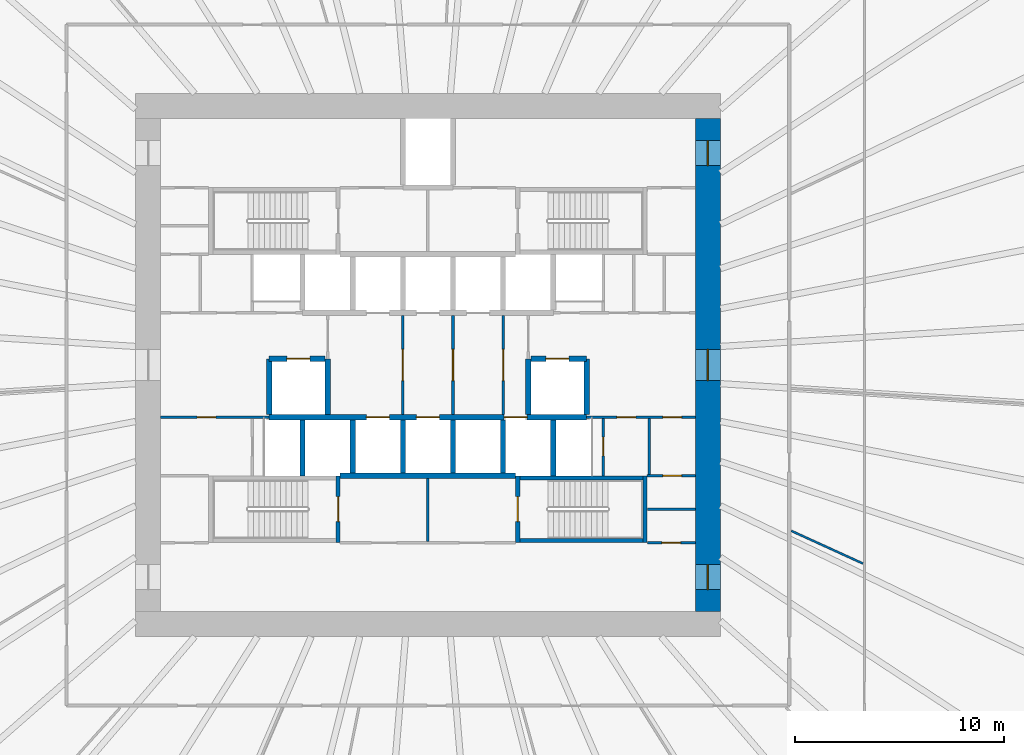
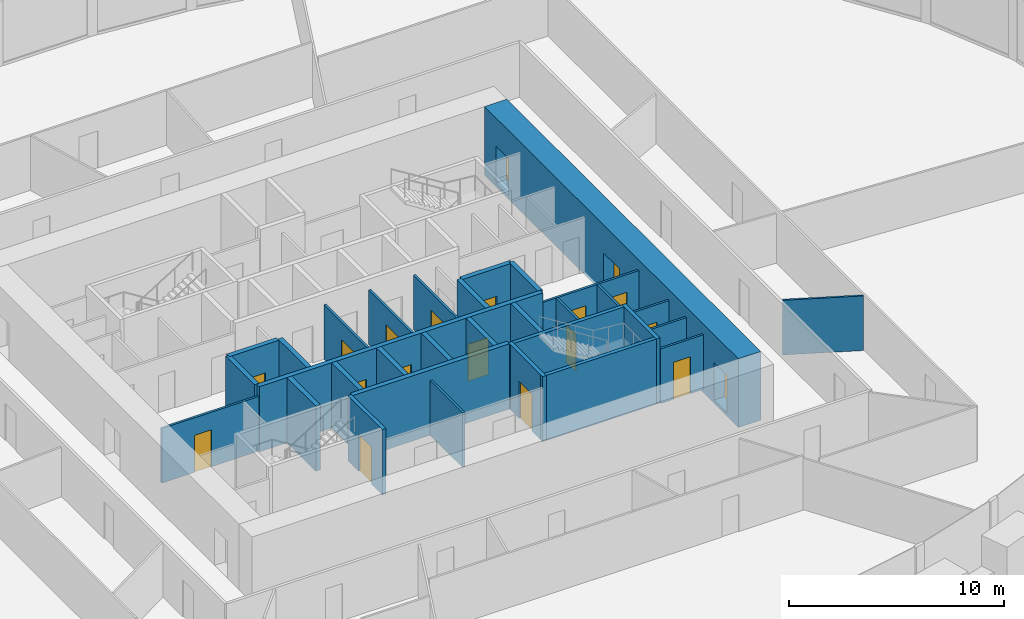
# One storey, part 8 of 12: 32 walls, 19 doors, 19 openings.
"""IFC4 building model written with IfcOpenShell, lengths in metres."""

from ifc_helpers import new_model, si_unit, direction, frame, frame_2d, origin, place, context, subcontext, project, spatial, rectangle, extrude, source, transform, mapped, material, layer, layer_set, type_object, element, fill, save


model = new_model("IFC4")

# Units and contexts
model_context = context("Model", 3, precision=1e-05, world=origin(), true_north=direction((0.0, 1.0)))
body_context = subcontext(model_context, "Body", "Model", "MODEL_VIEW")
ifc_project = project(units=[si_unit("LENGTHUNIT", "METRE"), si_unit("AREAUNIT", "SQUARE_METRE"), si_unit("VOLUMEUNIT", "CUBIC_METRE"), si_unit("PLANEANGLEUNIT", "RADIAN"), si_unit("MASSUNIT", "GRAM", prefix="KILO")], contexts=[model_context])

# Site, building, storey
site_placement = place(None, origin())
site = spatial("IfcSite", under=ifc_project, at=site_placement, CompositionType="ELEMENT")
building_placement = place(site_placement, origin())
building = spatial("IfcBuilding", under=site, at=building_placement, Name="Embergate Tower", CompositionType="ELEMENT")
storey_placement = place(building_placement, frame((0.0, 0.0, 85.39990234375)))
storey = spatial("IfcBuildingStorey", under=building, at=storey_placement, Name="L17", CompositionType="ELEMENT", Elevation=85.39990234375)

# Wall, openings, doors
ifc_material_1 = material(Name="Concrete C80", Category="concrete")
ifc_layer_1 = layer(ifc_material_1, 1.199951171875)
ifc_layer_set_1 = layer_set([ifc_layer_1], Name="Concrete C80")
wall_type_1 = type_object("IfcWallType", Name="Core outer wall C80 1200", PredefinedType="SHEAR", material=ifc_layer_set_1)
shared_shape_1 = source(origin(), body_context, "Body", "SweptSolid", [
    extrude(rectangle(XDim=23.60009765625, YDim=1.199951171875, at=frame_2d((11.800048828125, 0.0))), origin(), (0.0, 0.0, 1.0), 3.900146484375),
])
wall_1_placement = place(storey_placement, frame((13.39990234375, -11.800048828125, -0.199951171875), z_axis=(0.0, 0.0, 1.0), x_axis=(0.0, 1.0, 0.0)))
wall_1 = element("IfcWall", 1, at=wall_1_placement, inside=storey, type_object=wall_type_1, Name="CW-L17-E", PredefinedType="SHEAR", context=body_context, shape_type="MappedRepresentation", body=[
    mapped(shared_shape_1, transform((0.0, 0.0, 0.0))),
])
shared_shape_2 = source(origin(), body_context, "Body", "SweptSolid", [
    extrude(rectangle(XDim=1.199951171875, YDim=2.10009765625, at=frame_2d((0.60009765625, 1.050048828125))), frame((0.0, 0.60986328125, 0.0), z_axis=(0.0, -1.0, 0.0), x_axis=(1.0, 0.0, 0.0)), (0.0, 0.0, 1.0), 1.219970703125),
])
opening_1_placement = place(wall_1_placement, frame((21.35009765625, 0.0, 0.199951171875)))
opening_1 = element("IfcOpeningElement", 2, at=opening_1_placement, cuts=wall_1, Name="Opening IF-1", PredefinedType="OPENING", context=body_context, shape_type="MappedRepresentation", body=[
    mapped(shared_shape_2, transform((0.0, 0.0, 0.0))),
])
opening_2_placement = place(wall_1_placement, frame((1.050048828125, 0.0, 0.199951171875)))
opening_2 = element("IfcOpeningElement", 3, at=opening_2_placement, cuts=wall_1, Name="Opening IF-1", PredefinedType="OPENING", context=body_context, shape_type="MappedRepresentation", body=[
    mapped(shared_shape_2, transform((0.0, 0.0, 0.0))),
])
shared_shape_3 = source(origin(), body_context, "Body", "SweptSolid", [
    extrude(rectangle(XDim=1.5, YDim=2.10009765625, at=frame_2d((0.75, 1.050048828125))), frame((0.0, 0.60986328125, 0.0), z_axis=(0.0, -1.0, 0.0), x_axis=(1.0, 0.0, 0.0)), (0.0, 0.0, 1.0), 1.219970703125),
])
opening_3_placement = place(wall_1_placement, frame((11.050048828125, 0.0, 0.199951171875)))
opening_3 = element("IfcOpeningElement", 4, at=opening_3_placement, cuts=wall_1, Name="Opening IF-3", PredefinedType="OPENING", context=body_context, shape_type="MappedRepresentation", body=[
    mapped(shared_shape_3, transform((0.0, 0.0, 0.0))),
])
ifc_material_2 = material(Name="Escape fire door 1200")
door_type_1 = type_object("IfcDoorType", Name="Escape fire door 1200", OperationType="SINGLE_SWING_LEFT", PredefinedType="DOOR", material=ifc_material_2)
shared_shape_4 = source(origin(), body_context, "Body", "SweptSolid", [
    extrude(rectangle(XDim=1.199951171875, YDim=2.10009765625, at=frame_2d((0.60009765625, 1.050048828125))), frame((0.0, 0.02490234375, 0.0), z_axis=(0.0, -1.0, 0.0), x_axis=(1.0, 0.0, 0.0)), (0.0, 0.0, 1.0), 0.050048828125),
])
door_1_placement = place(opening_1_placement, origin())
door_1 = element("IfcDoor", 5, at=door_1_placement, inside=storey, type_object=door_type_1, Name="IF-1 door", OperationType="SINGLE_SWING_RIGHT", OverallHeight=2.10009765625, OverallWidth=1.199951171875, PredefinedType="DOOR", context=body_context, shape_type="MappedRepresentation", body=[
    mapped(shared_shape_4, transform((0.0, 0.0, 0.0))),
])
fill(opening_1, door_1)
door_2_placement = place(opening_2_placement, origin())
door_2 = element("IfcDoor", 6, at=door_2_placement, inside=storey, type_object=door_type_1, Name="IF-1 door", OperationType="SINGLE_SWING_LEFT", OverallHeight=2.10009765625, OverallWidth=1.199951171875, PredefinedType="DOOR", context=body_context, shape_type="MappedRepresentation", body=[
    mapped(shared_shape_4, transform((0.0, 0.0, 0.0))),
])
fill(opening_2, door_2)
ifc_material_3 = material(Name="Lobby fire door pair 1500")
door_type_2 = type_object("IfcDoorType", Name="Lobby fire door pair 1500", OperationType="DOUBLE_DOOR_SINGLE_SWING", PredefinedType="DOOR", material=ifc_material_3)
shared_shape_5 = source(origin(), body_context, "Body", "SweptSolid", [
    extrude(rectangle(XDim=1.5, YDim=2.10009765625, at=frame_2d((0.75, 1.050048828125))), frame((0.0, 0.02490234375, 0.0), z_axis=(0.0, -1.0, 0.0), x_axis=(1.0, 0.0, 0.0)), (0.0, 0.0, 1.0), 0.050048828125),
])
door_3_placement = place(opening_3_placement, origin())
door_3 = element("IfcDoor", 7, at=door_3_placement, inside=storey, type_object=door_type_2, Name="IF-3 door", OperationType="DOUBLE_DOOR_SINGLE_SWING", OverallHeight=2.10009765625, OverallWidth=1.5, PredefinedType="DOOR", context=body_context, shape_type="MappedRepresentation", body=[
    mapped(shared_shape_5, transform((0.0, 0.0, 0.0))),
])
fill(opening_3, door_3)

# Wall, opening, door
ifc_material_4 = material(Name="Core partition blockwork 120")
ifc_layer_2 = layer(ifc_material_4, 0.1201171875)
ifc_layer_set_2 = layer_set([ifc_layer_2], Name="Core partition blockwork 120")
wall_type_2 = type_object("IfcWallType", Name="Core partition blockwork 120", PredefinedType="PARTITIONING", material=ifc_layer_set_2)
shared_shape_6 = source(origin(), body_context, "Body", "SweptSolid", [
    extrude(rectangle(XDim=2.739990234375, YDim=0.1201171875, at=frame_2d((1.3701171875, 0.0))), origin(), (0.0, 0.0, 1.0), 3.10009765625),
])
wall_2_placement = place(storey_placement, frame((8.39990234375, -5.300048828125, 0.0), z_axis=(0.0, 0.0, 1.0), x_axis=(0.0, 1.0, 0.0)))
wall_2 = element("IfcWall", 8, at=wall_2_placement, inside=storey, type_object=wall_type_2, Name="IP-3 wall", PredefinedType="PARTITIONING", context=body_context, shape_type="MappedRepresentation", body=[
    mapped(shared_shape_6, transform((0.0, 0.0, 0.0))),
])
shared_shape_7 = source(origin(), body_context, "Body", "SweptSolid", [
    extrude(rectangle(XDim=0.89990234375, YDim=2.10009765625, at=frame_2d((0.449951171875, 1.050048828125))), frame((0.0, 0.070068359375, 0.0), z_axis=(0.0, -1.0, 0.0), x_axis=(1.0, 0.0, 0.0)), (0.0, 0.0, 1.0), 0.14013671875),
])
opening_4_placement = place(wall_2_placement, frame((0.949951171875, 0.0, 0.0)))
opening_4 = element("IfcOpeningElement", 9, at=opening_4_placement, cuts=wall_2, Name="Opening ID-1", PredefinedType="OPENING", context=body_context, shape_type="MappedRepresentation", body=[
    mapped(shared_shape_7, transform((0.0, 0.0, 0.0))),
])
ifc_material_5 = material(Name="Interior door 900")
door_type_3 = type_object("IfcDoorType", Name="Interior door 900", OperationType="SINGLE_SWING_LEFT", PredefinedType="DOOR", material=ifc_material_5)
shared_shape_8 = source(origin(), body_context, "Body", "SweptSolid", [
    extrude(rectangle(XDim=0.89990234375, YDim=2.10009765625, at=frame_2d((0.449951171875, 1.050048828125))), frame((0.0, 0.02490234375, 0.0), z_axis=(0.0, -1.0, 0.0), x_axis=(1.0, 0.0, 0.0)), (0.0, 0.0, 1.0), 0.050048828125),
])
door_4_placement = place(opening_4_placement, origin())
door_4 = element("IfcDoor", 10, at=door_4_placement, inside=storey, type_object=door_type_3, Name="ID-1 door", OperationType="SINGLE_SWING_RIGHT", OverallHeight=2.10009765625, OverallWidth=0.89990234375, PredefinedType="DOOR", context=body_context, shape_type="MappedRepresentation", body=[
    mapped(shared_shape_8, transform((0.0, 0.0, 0.0))),
])
fill(opening_4, door_4)

shared_shape_9 = source(origin(), body_context, "Body", "SweptSolid", [
    extrude(rectangle(XDim=5.199951171875, YDim=0.1201171875, at=frame_2d((2.60009765625, 0.0))), origin(), (0.0, 0.0, 1.0), 3.10009765625),
])
wall_3_placement = place(storey_placement, frame((-7.60009765625, -2.5, 0.0), z_axis=(0.0, 0.0, 1.0), x_axis=(-1.0, 0.0, 0.0)))
wall_3 = element("IfcWall", 11, at=wall_3_placement, inside=storey, type_object=wall_type_2, Name="IP-3 wall", PredefinedType="PARTITIONING", context=body_context, shape_type="MappedRepresentation", body=[
    mapped(shared_shape_9, transform((0.0, 0.0, 0.0))),
])
opening_5_placement = place(wall_3_placement, frame((2.550048828125, 0.0, 0.0)))
opening_5 = element("IfcOpeningElement", 12, at=opening_5_placement, cuts=wall_3, Name="Opening ID-1", PredefinedType="OPENING", context=body_context, shape_type="MappedRepresentation", body=[
    mapped(shared_shape_7, transform((0.0, 0.0, 0.0))),
])
door_5_placement = place(opening_5_placement, origin())
door_5 = element("IfcDoor", 13, at=door_5_placement, inside=storey, type_object=door_type_3, Name="ID-1 door", OperationType="SINGLE_SWING_LEFT", OverallHeight=2.10009765625, OverallWidth=0.89990234375, PredefinedType="DOOR", context=body_context, shape_type="MappedRepresentation", body=[
    mapped(shared_shape_8, transform((0.0, 0.0, 0.0))),
])
fill(opening_5, door_5)

# Wall, openings, doors
wall_4_placement = place(storey_placement, frame((12.800048828125, -2.5, 0.0), z_axis=(0.0, 0.0, 1.0), x_axis=(-1.0, 0.0, 0.0)))
wall_4 = element("IfcWall", 14, at=wall_4_placement, inside=storey, type_object=wall_type_2, Name="IP-3 wall", PredefinedType="PARTITIONING", context=body_context, shape_type="MappedRepresentation", body=[
    mapped(shared_shape_9, transform((0.0, 0.0, 0.0))),
])
opening_6_placement = place(wall_4_placement, frame((2.85009765625, 0.0, 0.0)))
opening_6 = element("IfcOpeningElement", 15, at=opening_6_placement, cuts=wall_4, Name="Opening ID-1", PredefinedType="OPENING", context=body_context, shape_type="MappedRepresentation", body=[
    mapped(shared_shape_7, transform((0.0, 0.0, 0.0))),
])
opening_7_placement = place(wall_4_placement, frame((0.64990234375, 0.0, 0.0)))
opening_7 = element("IfcOpeningElement", 16, at=opening_7_placement, cuts=wall_4, Name="Opening ID-1", PredefinedType="OPENING", context=body_context, shape_type="MappedRepresentation", body=[
    mapped(shared_shape_7, transform((0.0, 0.0, 0.0))),
])
door_6_placement = place(opening_6_placement, origin())
door_6 = element("IfcDoor", 17, at=door_6_placement, inside=storey, type_object=door_type_3, Name="ID-1 door", OperationType="SINGLE_SWING_LEFT", OverallHeight=2.10009765625, OverallWidth=0.89990234375, PredefinedType="DOOR", context=body_context, shape_type="MappedRepresentation", body=[
    mapped(shared_shape_8, transform((0.0, 0.0, 0.0))),
])
fill(opening_6, door_6)
door_7_placement = place(opening_7_placement, origin())
door_7 = element("IfcDoor", 18, at=door_7_placement, inside=storey, type_object=door_type_3, Name="ID-1 door", OperationType="SINGLE_SWING_LEFT", OverallHeight=2.10009765625, OverallWidth=0.89990234375, PredefinedType="DOOR", context=body_context, shape_type="MappedRepresentation", body=[
    mapped(shared_shape_8, transform((0.0, 0.0, 0.0))),
])
fill(opening_7, door_7)

# Wall, opening, door
shared_shape_10 = source(origin(), body_context, "Body", "SweptSolid", [
    extrude(rectangle(XDim=4.75, YDim=0.1201171875, at=frame_2d((2.375, 0.0))), origin(), (0.0, 0.0, 1.0), 3.10009765625),
])
wall_5_placement = place(storey_placement, frame((-1.199951171875, -2.375, 0.0), z_axis=(0.0, 0.0, 1.0), x_axis=(0.0, 1.0, 0.0)))
wall_5 = element("IfcWall", 19, at=wall_5_placement, inside=storey, type_object=wall_type_2, Name="IP-3 wall", PredefinedType="PARTITIONING", context=body_context, shape_type="MappedRepresentation", body=[
    mapped(shared_shape_10, transform((0.0, 0.0, 0.0))),
])
shared_shape_11 = source(origin(), body_context, "Body", "SweptSolid", [
    extrude(rectangle(XDim=1.5, YDim=2.10009765625, at=frame_2d((0.75, 1.050048828125))), frame((0.0, 0.070068359375, 0.0), z_axis=(0.0, -1.0, 0.0), x_axis=(1.0, 0.0, 0.0)), (0.0, 0.0, 1.0), 0.14013671875),
])
opening_8_placement = place(wall_5_placement, frame((1.625, 0.0, 0.0)))
opening_8 = element("IfcOpeningElement", 20, at=opening_8_placement, cuts=wall_5, Name="Opening IF-3", PredefinedType="OPENING", context=body_context, shape_type="MappedRepresentation", body=[
    mapped(shared_shape_11, transform((0.0, 0.0, 0.0))),
])
door_8_placement = place(opening_8_placement, origin())
door_8 = element("IfcDoor", 21, at=door_8_placement, inside=storey, type_object=door_type_2, Name="IF-3 door", OperationType="DOUBLE_DOOR_SINGLE_SWING", OverallHeight=2.10009765625, OverallWidth=1.5, PredefinedType="DOOR", context=body_context, shape_type="MappedRepresentation", body=[
    mapped(shared_shape_5, transform((0.0, 0.0, 0.0))),
])
fill(opening_8, door_8)

wall_6_placement = place(storey_placement, frame((1.199951171875, -2.375, 0.0), z_axis=(0.0, 0.0, 1.0), x_axis=(0.0, 1.0, 0.0)))
wall_6 = element("IfcWall", 22, at=wall_6_placement, inside=storey, type_object=wall_type_2, Name="IP-3 wall", PredefinedType="PARTITIONING", context=body_context, shape_type="MappedRepresentation", body=[
    mapped(shared_shape_10, transform((0.0, 0.0, 0.0))),
])
opening_9_placement = place(wall_6_placement, frame((1.625, 0.0, 0.0)))
opening_9 = element("IfcOpeningElement", 23, at=opening_9_placement, cuts=wall_6, Name="Opening IF-3", PredefinedType="OPENING", context=body_context, shape_type="MappedRepresentation", body=[
    mapped(shared_shape_11, transform((0.0, 0.0, 0.0))),
])
door_9_placement = place(opening_9_placement, origin())
door_9 = element("IfcDoor", 24, at=door_9_placement, inside=storey, type_object=door_type_2, Name="IF-3 door", OperationType="DOUBLE_DOOR_SINGLE_SWING", OverallHeight=2.10009765625, OverallWidth=1.5, PredefinedType="DOOR", context=body_context, shape_type="MappedRepresentation", body=[
    mapped(shared_shape_5, transform((0.0, 0.0, 0.0))),
])
fill(opening_9, door_9)

wall_7_placement = place(storey_placement, frame((3.60009765625, -2.375, 0.0), z_axis=(0.0, 0.0, 1.0), x_axis=(0.0, 1.0, 0.0)))
wall_7 = element("IfcWall", 25, at=wall_7_placement, inside=storey, type_object=wall_type_2, Name="IP-3 wall", PredefinedType="PARTITIONING", context=body_context, shape_type="MappedRepresentation", body=[
    mapped(shared_shape_10, transform((0.0, 0.0, 0.0))),
])
opening_10_placement = place(wall_7_placement, frame((1.625, 0.0, 0.0)))
opening_10 = element("IfcOpeningElement", 26, at=opening_10_placement, cuts=wall_7, Name="Opening IF-3", PredefinedType="OPENING", context=body_context, shape_type="MappedRepresentation", body=[
    mapped(shared_shape_11, transform((0.0, 0.0, 0.0))),
])
door_10_placement = place(opening_10_placement, origin())
door_10 = element("IfcDoor", 27, at=door_10_placement, inside=storey, type_object=door_type_2, Name="IF-3 door", OperationType="DOUBLE_DOOR_SINGLE_SWING", OverallHeight=2.10009765625, OverallWidth=1.5, PredefinedType="DOOR", context=body_context, shape_type="MappedRepresentation", body=[
    mapped(shared_shape_5, transform((0.0, 0.0, 0.0))),
])
fill(opening_10, door_10)

# Wall
shared_shape_12 = source(origin(), body_context, "Body", "SweptSolid", [
    extrude(rectangle(XDim=3.014892578125, YDim=0.1201171875, at=frame_2d((1.50732421875, 0.0))), origin(), (0.0, 0.0, 1.0), 3.10009765625),
])
wall_8_placement = place(storey_placement, frame((0.0, -8.43994140625, 0.0), z_axis=(0.0, 0.0, 1.0), x_axis=(0.0, 1.0, 0.0)))
element("IfcWall", 28, at=wall_8_placement, inside=storey, type_object=wall_type_2, Name="IP-3 wall", PredefinedType="PARTITIONING", context=body_context, shape_type="MappedRepresentation", body=[
    mapped(shared_shape_12, transform((0.0, 0.0, 0.0))),
])

# Wall, opening, door
shared_shape_13 = source(origin(), body_context, "Body", "SweptSolid", [
    extrude(rectangle(XDim=2.300048828125, YDim=0.1201171875, at=frame_2d((1.14990234375, 0.0))), origin(), (0.0, 0.0, 1.0), 3.10009765625),
])
wall_9_placement = place(storey_placement, frame((12.800048828125, -8.5, 0.0), z_axis=(0.0, 0.0, 1.0), x_axis=(-1.0, 0.0, 0.0)))
wall_9 = element("IfcWall", 29, at=wall_9_placement, inside=storey, type_object=wall_type_2, Name="IP-3 wall", PredefinedType="PARTITIONING", context=body_context, shape_type="MappedRepresentation", body=[
    mapped(shared_shape_13, transform((0.0, 0.0, 0.0))),
])
opening_11_placement = place(wall_9_placement, frame((0.699951171875, 0.0, 0.0)))
opening_11 = element("IfcOpeningElement", 30, at=opening_11_placement, cuts=wall_9, Name="Opening ID-1", PredefinedType="OPENING", context=body_context, shape_type="MappedRepresentation", body=[
    mapped(shared_shape_7, transform((0.0, 0.0, 0.0))),
])
door_11_placement = place(opening_11_placement, origin())
door_11 = element("IfcDoor", 31, at=door_11_placement, inside=storey, type_object=door_type_3, Name="ID-1 door", OperationType="SINGLE_SWING_RIGHT", OverallHeight=2.10009765625, OverallWidth=0.89990234375, PredefinedType="DOOR", context=body_context, shape_type="MappedRepresentation", body=[
    mapped(shared_shape_8, transform((0.0, 0.0, 0.0))),
])
fill(opening_11, door_11)

wall_10_placement = place(storey_placement, frame((10.5, -5.300048828125, 0.0), z_axis=(0.0, 0.0, 1.0), x_axis=(1.0, 0.0, 0.0)))
wall_10 = element("IfcWall", 32, at=wall_10_placement, inside=storey, type_object=wall_type_2, Name="IP-3 wall", PredefinedType="PARTITIONING", context=body_context, shape_type="MappedRepresentation", body=[
    mapped(shared_shape_13, transform((0.0, 0.0, 0.0))),
])
opening_12_placement = place(wall_10_placement, frame((0.75, 0.0, 0.0)))
opening_12 = element("IfcOpeningElement", 33, at=opening_12_placement, cuts=wall_10, Name="Opening ID-1", PredefinedType="OPENING", context=body_context, shape_type="MappedRepresentation", body=[
    mapped(shared_shape_7, transform((0.0, 0.0, 0.0))),
])
door_12_placement = place(opening_12_placement, origin())
door_12 = element("IfcDoor", 34, at=door_12_placement, inside=storey, type_object=door_type_3, Name="ID-1 door", OperationType="SINGLE_SWING_LEFT", OverallHeight=2.10009765625, OverallWidth=0.89990234375, PredefinedType="DOOR", context=body_context, shape_type="MappedRepresentation", body=[
    mapped(shared_shape_8, transform((0.0, 0.0, 0.0))),
])
fill(opening_12, door_12)

# Walls
wall_11_placement = place(storey_placement, frame((12.800048828125, -6.89990234375, 0.0), z_axis=(0.0, 0.0, 1.0), x_axis=(-1.0, 0.0, 0.0)))
element("IfcWall", 35, at=wall_11_placement, inside=storey, type_object=wall_type_2, Name="IP-3 wall", PredefinedType="PARTITIONING", context=body_context, shape_type="MappedRepresentation", body=[
    mapped(shared_shape_13, transform((0.0, 0.0, 0.0))),
])
shared_shape_14 = source(origin(), body_context, "Body", "SweptSolid", [
    extrude(rectangle(XDim=2.679931640625, YDim=0.1201171875, at=frame_2d((1.33984375, 0.0))), origin(), (0.0, 0.0, 1.0), 3.10009765625),
])
wall_12_placement = place(storey_placement, frame((10.60009765625, -5.239990234375, 0.0), z_axis=(0.0, 0.0, 1.0), x_axis=(0.0, 1.0, 0.0)))
element("IfcWall", 36, at=wall_12_placement, inside=storey, type_object=wall_type_2, Name="IP-3 wall", PredefinedType="PARTITIONING", context=body_context, shape_type="MappedRepresentation", body=[
    mapped(shared_shape_14, transform((0.0, 0.0, 0.0))),
])
ifc_material_6 = material(Name="Concrete C50", Category="concrete")
ifc_layer_3 = layer(ifc_material_6, 0.25)
ifc_layer_set_3 = layer_set([ifc_layer_3], Name="Concrete C50")
wall_type_3 = type_object("IfcWallType", Name="Hoistway wall reinforced concrete 250", PredefinedType="SHEAR", material=ifc_layer_set_3)
shared_shape_15 = source(origin(), body_context, "Body", "SweptSolid", [
    extrude(rectangle(XDim=2.675048828125, YDim=0.25, at=frame_2d((1.33740234375, 0.0))), origin(), (0.0, 0.0, 1.0), 3.7001953125),
])
for number, where, z_axis, x_axis, name in (
    (37, (-6.0, -5.300048828125, 0.0), (0.0, 0.0, 1.0), (0.0, 1.0, 0.0), "HW-1 wall"),
    (38, (6.0, -5.300048828125, 0.0), (0.0, 0.0, 1.0), (0.0, 1.0, 0.0), "HW-1 wall"),
    (39, (-4.800048828125, 0.300048828125, 0.0), (0.0, 0.0, 1.0), (0.0, -1.0, 0.0), "HW-1 wall"),
    (40, (4.800048828125, -2.375, 0.0), (0.0, 0.0, 1.0), (0.0, 1.0, 0.0), "HW-1 wall"),
):
    element("IfcWall", number, at=place(storey_placement, frame(where, z_axis=z_axis, x_axis=x_axis)), inside=storey, type_object=wall_type_3, Name=name, PredefinedType="SHEAR", context=body_context, shape_type="MappedRepresentation", body=[
        mapped(shared_shape_15, transform((0.0, 0.0, 0.0))),
    ])

# Wall, opening, door
wall_13_placement = place(storey_placement, frame((-4.925048828125, 0.300048828125, 0.0), z_axis=(0.0, 0.0, 1.0), x_axis=(-1.0, 0.0, 0.0)))
wall_13 = element("IfcWall", 41, at=wall_13_placement, inside=storey, type_object=wall_type_3, Name="HW-1 wall", PredefinedType="SHEAR", context=body_context, shape_type="MappedRepresentation", body=[
    mapped(shared_shape_15, transform((0.0, 0.0, 0.0))),
])
shared_shape_16 = source(origin(), body_context, "Body", "SweptSolid", [
    extrude(rectangle(XDim=1.10009765625, YDim=2.10009765625, at=frame_2d((0.550048828125, 1.050048828125))), frame((0.0, 0.135009765625, 0.0), z_axis=(0.0, -1.0, 0.0), x_axis=(1.0, 0.0, 0.0)), (0.0, 0.0, 1.0), 0.27001953125),
])
opening_13_placement = place(wall_13_placement, frame((0.72509765625, 0.0, 0.0)))
opening_13 = element("IfcOpeningElement", 42, at=opening_13_placement, cuts=wall_13, Name="Opening LD", PredefinedType="OPENING", context=body_context, shape_type="MappedRepresentation", body=[
    mapped(shared_shape_16, transform((0.0, 0.0, 0.0))),
])
ifc_material_7 = material(Name="Landing door sliding 1100")
door_type_4 = type_object("IfcDoorType", Name="Landing door sliding 1100", OperationType="SLIDING_TO_LEFT", PredefinedType="DOOR", material=ifc_material_7)
shared_shape_17 = source(origin(), body_context, "Body", "SweptSolid", [
    extrude(rectangle(XDim=1.10009765625, YDim=2.10009765625, at=frame_2d((0.550048828125, 1.050048828125))), frame((0.0, 0.02490234375, 0.0), z_axis=(0.0, -1.0, 0.0), x_axis=(1.0, 0.0, 0.0)), (0.0, 0.0, 1.0), 0.050048828125),
])
door_13_placement = place(opening_13_placement, origin())
door_13 = element("IfcDoor", 43, at=door_13_placement, inside=storey, type_object=door_type_4, Name="LD door", OperationType="SLIDING_TO_RIGHT", OverallHeight=2.10009765625, OverallWidth=1.10009765625, PredefinedType="DOOR", context=body_context, shape_type="MappedRepresentation", body=[
    mapped(shared_shape_17, transform((0.0, 0.0, 0.0))),
])
fill(opening_13, door_13)

# Wall
wall_14_placement = place(storey_placement, frame((-7.60009765625, 0.300048828125, 0.0), z_axis=(0.0, 0.0, 1.0), x_axis=(0.0, -1.0, 0.0)))
element("IfcWall", 44, at=wall_14_placement, inside=storey, type_object=wall_type_3, Name="HW-1 wall", PredefinedType="SHEAR", context=body_context, shape_type="MappedRepresentation", body=[
    mapped(shared_shape_15, transform((0.0, 0.0, 0.0))),
])

# Wall, opening, door
wall_15_placement = place(storey_placement, frame((7.60009765625, 0.300048828125, 0.0), z_axis=(0.0, 0.0, 1.0), x_axis=(-1.0, 0.0, 0.0)))
wall_15 = element("IfcWall", 45, at=wall_15_placement, inside=storey, type_object=wall_type_3, Name="HW-1 wall", PredefinedType="SHEAR", context=body_context, shape_type="MappedRepresentation", body=[
    mapped(shared_shape_15, transform((0.0, 0.0, 0.0))),
])
opening_14_placement = place(wall_15_placement, frame((0.85009765625, 0.0, 0.0)))
opening_14 = element("IfcOpeningElement", 46, at=opening_14_placement, cuts=wall_15, Name="Opening LD", PredefinedType="OPENING", context=body_context, shape_type="MappedRepresentation", body=[
    mapped(shared_shape_16, transform((0.0, 0.0, 0.0))),
])
door_14_placement = place(opening_14_placement, origin())
door_14 = element("IfcDoor", 47, at=door_14_placement, inside=storey, type_object=door_type_4, Name="LD door", OperationType="SLIDING_TO_LEFT", OverallHeight=2.10009765625, OverallWidth=1.10009765625, PredefinedType="DOOR", context=body_context, shape_type="MappedRepresentation", body=[
    mapped(shared_shape_17, transform((0.0, 0.0, 0.0))),
])
fill(opening_14, door_14)

# Walls
wall_16_placement = place(storey_placement, frame((7.60009765625, -2.375, 0.0), z_axis=(0.0, 0.0, 1.0), x_axis=(0.0, 1.0, 0.0)))
element("IfcWall", 48, at=wall_16_placement, inside=storey, type_object=wall_type_3, Name="HW-1 wall", PredefinedType="SHEAR", context=body_context, shape_type="MappedRepresentation", body=[
    mapped(shared_shape_15, transform((0.0, 0.0, 0.0))),
])
ifc_layer_4 = layer(ifc_material_6, 0.199951171875)
ifc_layer_set_4 = layer_set([ifc_layer_4], Name="Concrete C50")
wall_type_4 = type_object("IfcWallType", Name="Stair enclosure wall reinforced concrete 250", PredefinedType="SHEAR", material=ifc_layer_set_4)
shared_shape_18 = source(origin(), body_context, "Body", "SweptSolid", [
    extrude(rectangle(XDim=6.300048828125, YDim=0.199951171875, at=frame_2d((3.14990234375, 0.0))), origin(), (0.0, 0.0, 1.0), 3.7001953125),
])
for number, where, z_axis, x_axis, name in (
    (49, (4.199951171875, -5.39990234375, 0.0), (0.0, 0.0, 1.0), (1.0, 0.0, 0.0), "SE-1 wall"),
    (50, (4.199951171875, -8.39990234375, 0.0), (0.0, 0.0, 1.0), (1.0, 0.0, 0.0), "SE-1 wall"),
):
    element("IfcWall", number, at=place(storey_placement, frame(where, z_axis=z_axis, x_axis=x_axis)), inside=storey, type_object=wall_type_4, Name=name, PredefinedType="SHEAR", context=body_context, shape_type="MappedRepresentation", body=[
        mapped(shared_shape_18, transform((0.0, 0.0, 0.0))),
    ])
shared_shape_19 = source(origin(), body_context, "Body", "SweptSolid", [
    extrude(rectangle(XDim=2.550048828125, YDim=0.25, at=frame_2d((1.27490234375, 0.0))), origin(), (0.0, 0.0, 1.0), 3.7001953125),
])
for number, where, z_axis, x_axis, name in (
    (51, (-3.60009765625, -5.175048828125, 0.0), (0.0, 0.0, 1.0), (0.0, 1.0, 0.0), "HW-1 wall"),
    (52, (-1.199951171875, -5.175048828125, 0.0), (0.0, 0.0, 1.0), (0.0, 1.0, 0.0), "HW-1 wall"),
    (53, (1.199951171875, -5.175048828125, 0.0), (0.0, 0.0, 1.0), (0.0, 1.0, 0.0), "HW-1 wall"),
    (54, (3.60009765625, -5.175048828125, 0.0), (0.0, 0.0, 1.0), (0.0, 1.0, 0.0), "HW-1 wall"),
):
    element("IfcWall", number, at=place(storey_placement, frame(where, z_axis=z_axis, x_axis=x_axis)), inside=storey, type_object=wall_type_3, Name=name, PredefinedType="SHEAR", context=body_context, shape_type="MappedRepresentation", body=[
        mapped(shared_shape_19, transform((0.0, 0.0, 0.0))),
    ])
shared_shape_20 = source(origin(), body_context, "Body", "SweptSolid", [
    extrude(rectangle(XDim=8.39990234375, YDim=0.25, at=frame_2d((4.199951171875, 0.0))), origin(), (0.0, 0.0, 1.0), 3.7001953125),
])
wall_17_placement = place(storey_placement, frame((-4.199951171875, -5.300048828125, 0.0), z_axis=(0.0, 0.0, 1.0), x_axis=(1.0, 0.0, 0.0)))
element("IfcWall", 55, at=wall_17_placement, inside=storey, type_object=wall_type_3, Name="HW-1 wall", PredefinedType="SHEAR", context=body_context, shape_type="MappedRepresentation", body=[
    mapped(shared_shape_20, transform((0.0, 0.0, 0.0))),
])

# Wall, openings, doors
shared_shape_21 = source(origin(), body_context, "Body", "SweptSolid", [
    extrude(rectangle(XDim=15.2001953125, YDim=0.25, at=frame_2d((7.60009765625, 0.0))), origin(), (0.0, 0.0, 1.0), 3.7001953125),
])
wall_18_placement = place(storey_placement, frame((7.60009765625, -2.5, 0.0), z_axis=(0.0, 0.0, 1.0), x_axis=(-1.0, 0.0, 0.0)))
wall_18 = element("IfcWall", 56, at=wall_18_placement, inside=storey, type_object=wall_type_3, Name="HW-1 wall", PredefinedType="SHEAR", context=body_context, shape_type="MappedRepresentation", body=[
    mapped(shared_shape_21, transform((0.0, 0.0, 0.0))),
])
opening_15_placement = place(wall_18_placement, frame((9.449951171875, 0.0, 0.0)))
opening_15 = element("IfcOpeningElement", 57, at=opening_15_placement, cuts=wall_18, Name="Opening LD", PredefinedType="OPENING", context=body_context, shape_type="MappedRepresentation", body=[
    mapped(shared_shape_16, transform((0.0, 0.0, 0.0))),
])
opening_16_placement = place(wall_18_placement, frame((7.050048828125, 0.0, 0.0)))
opening_16 = element("IfcOpeningElement", 58, at=opening_16_placement, cuts=wall_18, Name="Opening LD", PredefinedType="OPENING", context=body_context, shape_type="MappedRepresentation", body=[
    mapped(shared_shape_16, transform((0.0, 0.0, 0.0))),
])
opening_17_placement = place(wall_18_placement, frame((2.85009765625, 0.0, 0.0)))
opening_17 = element("IfcOpeningElement", 59, at=opening_17_placement, cuts=wall_18, Name="Opening LD", PredefinedType="OPENING", context=body_context, shape_type="MappedRepresentation", body=[
    mapped(shared_shape_16, transform((0.0, 0.0, 0.0))),
])
door_15_placement = place(opening_15_placement, origin())
door_15 = element("IfcDoor", 60, at=door_15_placement, inside=storey, type_object=door_type_4, Name="LD door", OperationType="SLIDING_TO_RIGHT", OverallHeight=2.10009765625, OverallWidth=1.10009765625, PredefinedType="DOOR", context=body_context, shape_type="MappedRepresentation", body=[
    mapped(shared_shape_17, transform((0.0, 0.0, 0.0))),
])
fill(opening_15, door_15)
door_16_placement = place(opening_16_placement, origin())
door_16 = element("IfcDoor", 61, at=door_16_placement, inside=storey, type_object=door_type_4, Name="LD door", OperationType="SLIDING_TO_RIGHT", OverallHeight=2.10009765625, OverallWidth=1.10009765625, PredefinedType="DOOR", context=body_context, shape_type="MappedRepresentation", body=[
    mapped(shared_shape_17, transform((0.0, 0.0, 0.0))),
])
fill(opening_16, door_16)
door_17_placement = place(opening_17_placement, origin())
door_17 = element("IfcDoor", 62, at=door_17_placement, inside=storey, type_object=door_type_4, Name="LD door", OperationType="SLIDING_TO_RIGHT", OverallHeight=2.10009765625, OverallWidth=1.10009765625, PredefinedType="DOOR", context=body_context, shape_type="MappedRepresentation", body=[
    mapped(shared_shape_17, transform((0.0, 0.0, 0.0))),
])
fill(opening_17, door_17)

# Wall, opening, door
shared_shape_22 = source(origin(), body_context, "Body", "SweptSolid", [
    extrude(rectangle(XDim=3.199951171875, YDim=0.199951171875, at=frame_2d((1.60009765625, 0.0))), origin(), (0.0, 0.0, 1.0), 3.7001953125),
])
wall_19_placement = place(storey_placement, frame((-4.300048828125, -8.5, 0.0), z_axis=(0.0, 0.0, 1.0), x_axis=(0.0, 1.0, 0.0)))
wall_19 = element("IfcWall", 63, at=wall_19_placement, inside=storey, type_object=wall_type_4, Name="SE-1 wall", PredefinedType="SHEAR", context=body_context, shape_type="MappedRepresentation", body=[
    mapped(shared_shape_22, transform((0.0, 0.0, 0.0))),
])
shared_shape_23 = source(origin(), body_context, "Body", "SweptSolid", [
    extrude(rectangle(XDim=1.199951171875, YDim=2.10009765625, at=frame_2d((0.60009765625, 1.050048828125))), frame((0.0, 0.10986328125, 0.0), z_axis=(0.0, -1.0, 0.0), x_axis=(1.0, 0.0, 0.0)), (0.0, 0.0, 1.0), 0.219970703125),
])
opening_18_placement = place(wall_19_placement, frame((1.0, 0.0, 0.0)))
opening_18 = element("IfcOpeningElement", 64, at=opening_18_placement, cuts=wall_19, Name="Opening IF-2", PredefinedType="OPENING", context=body_context, shape_type="MappedRepresentation", body=[
    mapped(shared_shape_23, transform((0.0, 0.0, 0.0))),
])
ifc_material_8 = material(Name="Stair enclosure door 1200")
door_type_5 = type_object("IfcDoorType", Name="Stair enclosure door 1200", OperationType="SINGLE_SWING_LEFT", PredefinedType="DOOR", material=ifc_material_8)
door_18_placement = place(opening_18_placement, origin())
door_18 = element("IfcDoor", 65, at=door_18_placement, inside=storey, type_object=door_type_5, Name="IF-2 door", OperationType="SINGLE_SWING_RIGHT", OverallHeight=2.10009765625, OverallWidth=1.199951171875, PredefinedType="DOOR", context=body_context, shape_type="MappedRepresentation", body=[
    mapped(shared_shape_4, transform((0.0, 0.0, 0.0))),
])
fill(opening_18, door_18)

wall_20_placement = place(storey_placement, frame((4.300048828125, -5.300048828125, 0.0), z_axis=(0.0, 0.0, 1.0), x_axis=(0.0, -1.0, 0.0)))
wall_20 = element("IfcWall", 66, at=wall_20_placement, inside=storey, type_object=wall_type_4, Name="SE-1 wall", PredefinedType="SHEAR", context=body_context, shape_type="MappedRepresentation", body=[
    mapped(shared_shape_22, transform((0.0, 0.0, 0.0))),
])
opening_19_placement = place(wall_20_placement, frame((1.0, 0.0, 0.0)))
opening_19 = element("IfcOpeningElement", 67, at=opening_19_placement, cuts=wall_20, Name="Opening IF-2", PredefinedType="OPENING", context=body_context, shape_type="MappedRepresentation", body=[
    mapped(shared_shape_23, transform((0.0, 0.0, 0.0))),
])
door_19_placement = place(opening_19_placement, origin())
door_19 = element("IfcDoor", 68, at=door_19_placement, inside=storey, type_object=door_type_5, Name="IF-2 door", OperationType="SINGLE_SWING_LEFT", OverallHeight=2.10009765625, OverallWidth=1.199951171875, PredefinedType="DOOR", context=body_context, shape_type="MappedRepresentation", body=[
    mapped(shared_shape_4, transform((0.0, 0.0, 0.0))),
])
fill(opening_19, door_19)

# Walls
wall_21_placement = place(storey_placement, frame((10.39990234375, -8.5, 0.0), z_axis=(0.0, 0.0, 1.0), x_axis=(0.0, 1.0, 0.0)))
element("IfcWall", 69, at=wall_21_placement, inside=storey, type_object=wall_type_4, Name="SE-1 wall", PredefinedType="SHEAR", context=body_context, shape_type="MappedRepresentation", body=[
    mapped(shared_shape_22, transform((0.0, 0.0, 0.0))),
])
ifc_material_9 = material(Name="Partition dry-lined 100")
ifc_layer_5 = layer(ifc_material_9, 0.10009765625)
ifc_layer_set_5 = layer_set([ifc_layer_5], Name="Partition dry-lined 100")
wall_type_5 = type_object("IfcWallType", Name="Partition dry-lined 100", PredefinedType="PARTITIONING", material=ifc_layer_set_5)
shared_shape_24 = source(origin(), body_context, "Body", "SweptSolid", [
    extrude(rectangle(XDim=3.773681640625, YDim=0.10009765625, at=frame_2d((1.88671875, 0.0))), origin(), (0.0, 0.0, 1.0), 3.10009765625),
])
wall_22_placement = place(storey_placement, frame((17.39599609375, -7.93701171875, 0.0), z_axis=(0.0, 0.0, 1.0), x_axis=(0.909727317153, -0.415206223972, 0.0)))
element("IfcWall", 70, at=wall_22_placement, inside=storey, type_object=wall_type_5, Name="IP-1 wall", PredefinedType="PARTITIONING", context=body_context, shape_type="MappedRepresentation", body=[
    mapped(shared_shape_24, transform((0.0, 0.0, 0.0))),
])

save(model, "model.ifc")
